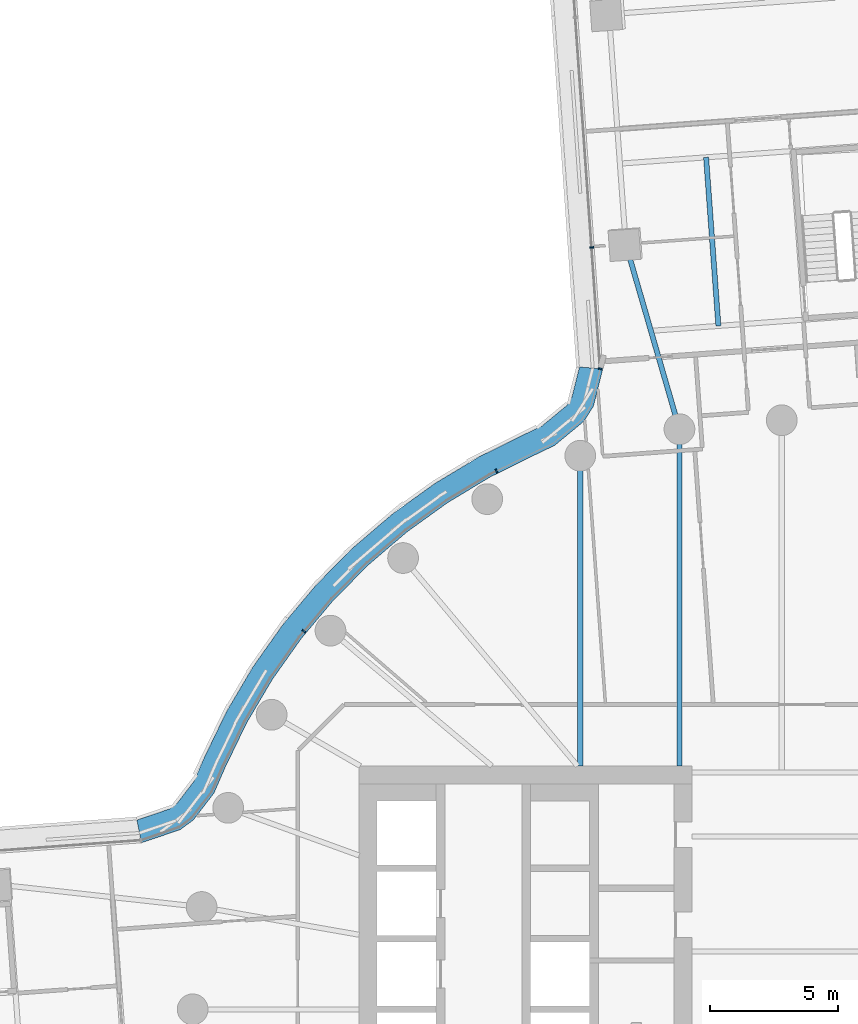
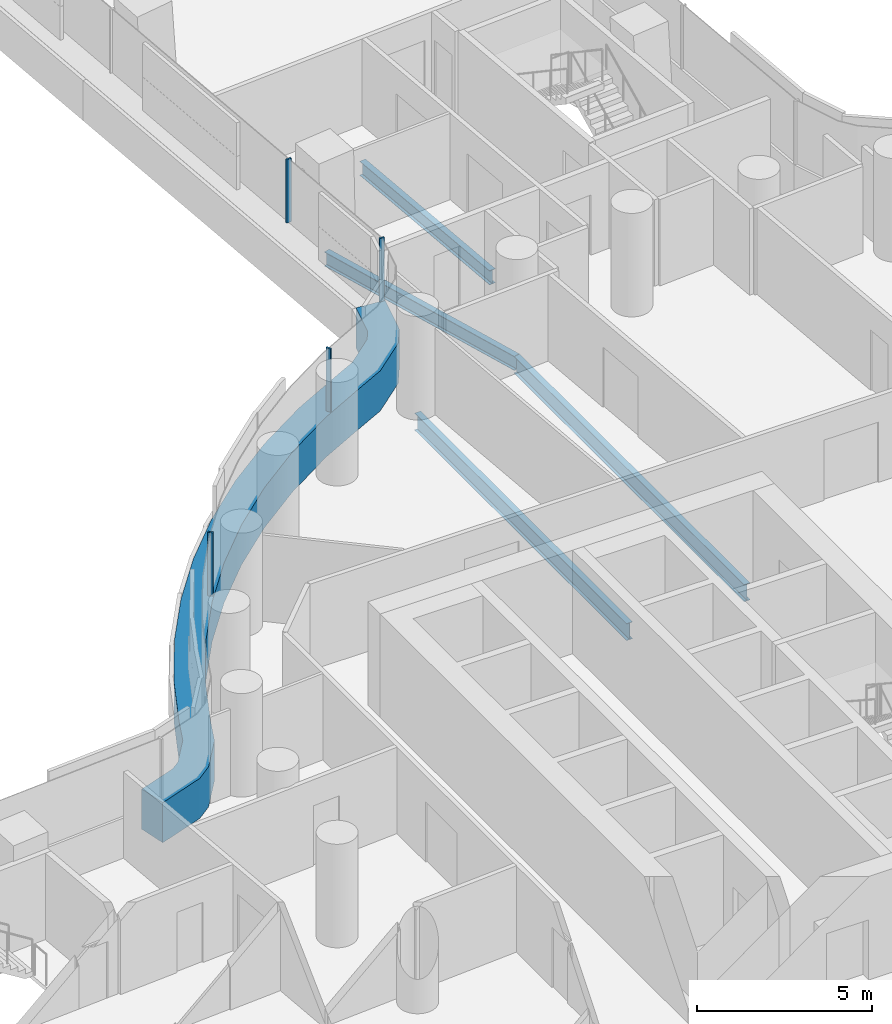
# One storey, part 13 of 31: 5 members, 4 beams, 2 elements without a shape of their own.
"""IFC4 building model written with IfcOpenShell, lengths in metres."""

from ifc_helpers import new_model, si_unit, direction, frame, origin, origin_2d, place, context, subcontext, project, spatial, polyline, rectangle, i_section, outline, extrude, material, layer, layer_set, material_profile, profile_set, type_object, element, aggregate, save


model = new_model("IFC4")

# Units and contexts
model_context = context("Model", 3, precision=1e-05, world=origin(), true_north=direction((0.0, 1.0)))
body_context = subcontext(model_context, "Body", "Model", "MODEL_VIEW")
ifc_project = project(units=[si_unit("LENGTHUNIT", "METRE"), si_unit("AREAUNIT", "SQUARE_METRE"), si_unit("VOLUMEUNIT", "CUBIC_METRE"), si_unit("PLANEANGLEUNIT", "RADIAN"), si_unit("MASSUNIT", "GRAM", prefix="KILO")], contexts=[model_context])

# Site, building, storey
site_placement = place(None, origin())
site = spatial("IfcSite", under=ifc_project, at=site_placement, CompositionType="ELEMENT")
building_placement = place(site_placement, origin())
building = spatial("IfcBuilding", under=site, at=building_placement, Name="Tamarind Cross Interchange Tower", CompositionType="ELEMENT")
storey_placement = place(building_placement, frame((0.0, 0.0, 49.0)))
storey = spatial("IfcBuildingStorey", under=building, at=storey_placement, Name="L10", CompositionType="ELEMENT", Elevation=49.0)

# Beams
ifc_material_1 = material(Name="Steel Q355B", Category="steel")
ifc_material_profile_1 = material_profile(ifc_material_1, i_section(OverallWidth=0.198974609375, OverallDepth=0.49609375, WebThickness=0.009033203125, FlangeThickness=0.013916015625, FilletRadius=0.012939453125, at=origin_2d()), Name="HN 496x199x9x14")
ifc_profile_set_1 = profile_set([ifc_material_profile_1], Name="Steel Q355B")
beam_type_1 = type_object("IfcBeamType", Name="Composite beam HN 496x199x9x14 Q355B", PredefinedType="BEAM", material=ifc_profile_set_1)
beam_1_placement = place(storey_placement, frame((-6.09033203125, 29.877197265625, -0.387939453125), z_axis=(0.278614236089, -0.960403096334, 0.0), x_axis=(0.960403096334, 0.278614236089, 0.0)))
element("IfcBeam", 1, at=beam_1_placement, inside=storey, type_object=beam_type_1, Name="Beam N-linkep", PredefinedType="BEAM", context=body_context, shape_type="SweptSolid", body=[
    extrude(i_section(OverallWidth=0.198974609375, OverallDepth=0.49609375, WebThickness=0.009033203125, FlangeThickness=0.013916015625, FilletRadius=0.012939453125, at=origin_2d()), origin(), (0.0, 0.0, 1.0), 7.5244140625),
])
beam_2_placement = place(storey_placement, frame((-2.472900390625, 26.68212890625, -0.387939453125), z_axis=(-0.072871538843, 0.997341335164, 0.0), x_axis=(-0.997341335164, -0.072871538843, 0.0)))
element("IfcBeam", 2, at=beam_2_placement, inside=storey, type_object=beam_type_1, Name="Beam N-stripp", PredefinedType="BEAM", context=body_context, shape_type="SweptSolid", body=[
    extrude(i_section(OverallWidth=0.198974609375, OverallDepth=0.49609375, WebThickness=0.009033203125, FlangeThickness=0.013916015625, FilletRadius=0.012939453125, at=origin_2d()), origin(), (0.0, 0.0, 1.0), 6.60009765625),
])
ifc_material_profile_2 = material_profile(ifc_material_1, i_section(OverallWidth=0.198974609375, OverallDepth=0.595947265625, WebThickness=0.010009765625, FlangeThickness=0.014892578125, FilletRadius=0.012939453125, at=origin_2d()), Name="HN 596x199x10x15")
ifc_profile_set_2 = profile_set([ifc_material_profile_2], Name="Steel Q355B")
beam_type_2 = type_object("IfcBeamType", Name="Composite beam HN 596x199x10x15 Q355B", PredefinedType="BEAM", material=ifc_profile_set_2)
beam_3_placement = place(storey_placement, frame((-3.993896484375, 22.650634765625, -0.43798828125), z_axis=(0.0, -1.0, 0.0), x_axis=(1.0, 0.0, 0.0)))
element("IfcBeam", 3, at=beam_3_placement, inside=storey, type_object=beam_type_2, Name="Beam HH10", PredefinedType="BEAM", context=body_context, shape_type="SweptSolid", body=[
    extrude(i_section(OverallWidth=0.198974609375, OverallDepth=0.595947265625, WebThickness=0.010009765625, FlangeThickness=0.014892578125, FilletRadius=0.012939453125, at=origin_2d()), origin(), (0.0, 0.0, 1.0), 13.150634765625),
])
beam_4_placement = place(storey_placement, frame((-7.866455078125, 21.613037109375, -0.43798828125), z_axis=(0.0, -1.0, 0.0), x_axis=(1.0, 0.0, 0.0)))
element("IfcBeam", 4, at=beam_4_placement, inside=storey, type_object=beam_type_2, Name="Beam HH11", PredefinedType="BEAM", context=body_context, shape_type="SweptSolid", body=[
    extrude(i_section(OverallWidth=0.198974609375, OverallDepth=0.595947265625, WebThickness=0.010009765625, FlangeThickness=0.014892578125, FilletRadius=0.012939453125, at=origin_2d()), origin(), (0.0, 0.0, 1.0), 12.113037109375),
])

# Curtain wall, member
ifc_material_2 = material(Name="Aluminium 6063-T6", Category="aluminium")
ifc_layer = layer(ifc_material_2, 0.159912109375)
ifc_layer_set = layer_set([ifc_layer], Name="Aluminium 6063-T6")
curtain_wall_type = type_object("IfcCurtainWallType", Name="Office curtain wall, 9.0 m bays", PredefinedType="NOTDEFINED", material=ifc_layer_set)
curtain_wall_1_placement = place(storey_placement, origin())
curtain_wall_1 = element("IfcCurtainWall", 5, at=curtain_wall_1_placement, inside=storey, type_object=curtain_wall_type, Name="CWS-L10-02", PredefinedType="NOTDEFINED")
ifc_material_3 = material(Name="Aluminium and insulated spandrel panel", Category="aluminium")
member_type_1 = type_object("IfcMemberType", Name="Floor-edge blade transom", PredefinedType="USERDEFINED", material=ifc_material_3)
member_1_placement = place(storey_placement, origin())
member_1 = element("IfcMember", 6, at=member_1_placement, type_object=member_type_1, Name="CWT-L10-02", ObjectType="TRANSOM", PredefinedType="USERDEFINED", context=body_context, shape_type="SweptSolid", body=[
    extrude(outline(polyline([(-6.9873046875, 25.00146484375), (-7.348876953125, 23.554443359375), (-7.725341796875, 22.9580078125), (-8.8671875, 22.015625), (-9.602294921875, 21.663330078125), (-11.367431640625, 20.791015625), (-13.045654296875, 19.78125), (-14.634521484375, 18.636474609375), (-16.12353515625, 17.3642578125), (-17.50244140625, 15.973388671875), (-18.76171875, 14.4736328125), (-19.892822265625, 12.874755859375), (-20.88818359375, 11.188232421875), (-21.743408203125, 9.419189453125), (-22.168212890625, 8.441650390625), (-22.971435546875, 7.392578125), (-23.48095703125, 7.016357421875), (-24.999267578125, 6.498779296875), (-25.180419921875, 7.387939453125), (-23.9033203125, 7.8232421875), (-23.608642578125, 8.041015625), (-22.94970703125, 8.9013671875), (-22.5615234375, 9.794677734375), (-21.68212890625, 11.613525390625), (-20.64892578125, 13.3642578125), (-19.474853515625, 15.023681640625), (-18.167724609375, 16.580810546875), (-16.736572265625, 18.0244140625), (-15.19091796875, 19.344970703125), (-13.54150390625, 20.533203125), (-11.799560546875, 21.581298828125), (-9.99609375, 22.47265625), (-9.355224609375, 22.77978515625), (-8.409423828125, 23.560302734375), (-8.18701171875, 23.91259765625), (-7.89501953125, 25.080810546875), (-6.9873046875, 25.00146484375)])), origin(), (0.0, 0.0, 1.0), 1.39990234375),
])

curtain_wall_2_placement = place(storey_placement, origin())
curtain_wall_2 = element("IfcCurtainWall", 7, at=curtain_wall_2_placement, inside=storey, type_object=curtain_wall_type, Name="CWS-L10-01", PredefinedType="NOTDEFINED")
ifc_material_profile_3 = material_profile(ifc_material_2, rectangle(XDim=0.06005859375, YDim=0.159912109375, at=origin_2d()), Name="Mullion CW1")
ifc_profile_set_3 = profile_set([ifc_material_profile_3], Name="Aluminium 6063-T6")
member_type_2 = type_object("IfcMemberType", Name="Mullion CW1", PredefinedType="MULLION", material=ifc_profile_set_3)
member_2_placement = place(storey_placement, frame((-7.42333984375, 29.748779296875, 1.39990234375), z_axis=(0.0, 0.0, 1.0), x_axis=(0.070593780008, -0.997505146966, 0.0)))
member_2 = element("IfcMember", 8, at=member_2_placement, type_object=member_type_2, Name="CWM-L10-01-02", PredefinedType="MULLION", context=body_context, shape_type="SweptSolid", body=[
    extrude(rectangle(XDim=0.06005859375, YDim=0.159912109375, at=origin_2d()), origin(), (0.0, 0.0, 1.0), 2.210205078125),
])
aggregate(curtain_wall_2, [member_2])

# Member
member_3_placement = place(storey_placement, frame((-7.088134765625, 25.01025390625, 1.39990234375), z_axis=(0.0, 0.0, 1.0), x_axis=(-0.087056288957, -0.996203394169, 0.0)))
member_3 = element("IfcMember", 9, at=member_3_placement, type_object=member_type_2, Name="CWM-L10-02-00", PredefinedType="MULLION", context=body_context, shape_type="SweptSolid", body=[
    extrude(rectangle(XDim=0.06005859375, YDim=0.159912109375, at=origin_2d()), origin(), (0.0, 0.0, 1.0), 2.210205078125),
])

member_4_placement = place(storey_placement, frame((-11.14111328125, 21.014404296875, 1.39990234375), z_axis=(0.0, 0.0, 1.0), x_axis=(-0.896492548518, -0.443058811505, 0.0)))
member_4 = element("IfcMember", 10, at=member_4_placement, type_object=member_type_2, Name="CWM-L10-02-01", PredefinedType="MULLION", context=body_context, shape_type="SweptSolid", body=[
    extrude(rectangle(XDim=0.06005859375, YDim=0.159912109375, at=origin_2d()), origin(), (0.0, 0.0, 1.0), 2.210205078125),
])

member_5_placement = place(storey_placement, frame((-18.655029296875, 14.756103515625, 1.39990234375), z_axis=(0.0, 0.0, 1.0), x_axis=(-0.643009266048, -0.765858396687, 0.0)))
member_5 = element("IfcMember", 11, at=member_5_placement, type_object=member_type_2, Name="CWM-L10-02-02", PredefinedType="MULLION", context=body_context, shape_type="SweptSolid", body=[
    extrude(rectangle(XDim=0.06005859375, YDim=0.159912109375, at=origin_2d()), origin(), (0.0, 0.0, 1.0), 2.210205078125),
])

aggregate(curtain_wall_1, [member_3, member_4, member_5, member_1])

save(model, "model.ifc")
